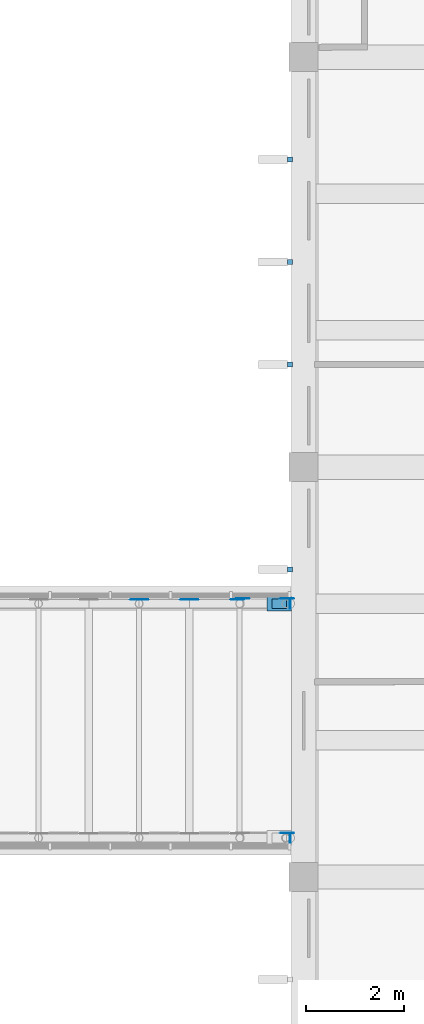
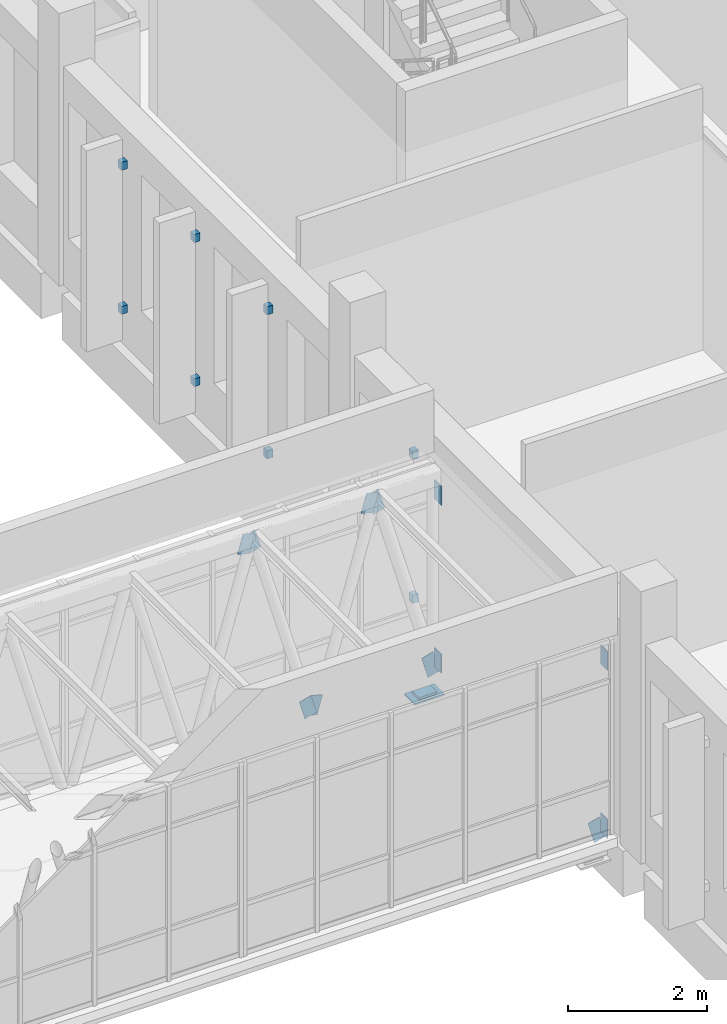
# One storey, part 82 of 119: 22 discrete accessories.
"""IFC4 building model written with IfcOpenShell, lengths in metres."""

from ifc_helpers import new_model, si_unit, direction, frame, origin, origin_2d, place, context, subcontext, project, spatial, rectangle, extrude, material, layer, layer_set, material_profile, profile_set, type_object, element, save


model = new_model("IFC4")

# Units and contexts
model_context = context("Model", 3, precision=1e-05, world=origin(), true_north=direction((0.0, 1.0)))
body_context = subcontext(model_context, "Body", "Model", "MODEL_VIEW")
ifc_project = project(units=[si_unit("LENGTHUNIT", "METRE"), si_unit("AREAUNIT", "SQUARE_METRE"), si_unit("VOLUMEUNIT", "CUBIC_METRE"), si_unit("PLANEANGLEUNIT", "RADIAN"), si_unit("MASSUNIT", "GRAM", prefix="KILO")], contexts=[model_context])

# Site, building, storey
site_placement = place(None, origin())
site = spatial("IfcSite", under=ifc_project, at=site_placement, CompositionType="ELEMENT")
building_placement = place(site_placement, origin())
building = spatial("IfcBuilding", under=site, at=building_placement, Name="Larchfold Concert Hall", CompositionType="ELEMENT")
storey_placement = place(building_placement, frame((0.0, 0.0, 4.800048828125)))
storey = spatial("IfcBuildingStorey", under=building, at=storey_placement, Name="L01", CompositionType="ELEMENT", Elevation=4.800048828125)

# Discrete accessories
ifc_material_1 = material(Name="Steel S355 galvanised bracket", Category="steel")
ifc_layer_1 = layer(ifc_material_1, 0.10009765625)
ifc_layer_set_1 = layer_set([ifc_layer_1], Name="Steel S355 galvanised bracket")
discrete_accessory_type_1 = type_object("IfcDiscreteAccessoryType", Name="Fin support bracket", PredefinedType="BRACKET", material=ifc_layer_set_1)
for number, where, z_axis, x_axis, name in (
    (1, (84.3251953125, 19.5, 0.6298828125), (0.0, 0.0, 1.0), (-1.0, 0.0, 0.0), "Fin bracket FN-L01-063-1"),
    (2, (84.3251953125, 19.5, 3.169921875), (0.0, 0.0, 1.0), (-1.0, 0.0, 0.0), "Fin bracket FN-L01-063-2"),
    (3, (84.3251953125, 21.60009765625, 0.6298828125), (0.0, 0.0, 1.0), (-1.0, 0.0, 0.0), "Fin bracket FN-L01-064-1"),
    (4, (84.3251953125, 21.60009765625, 3.169921875), (0.0, 0.0, 1.0), (-1.0, 0.0, 0.0), "Fin bracket FN-L01-064-2"),
    (5, (84.3251953125, 23.699951171875, 0.6298828125), (0.0, 0.0, 1.0), (-1.0, 0.0, 0.0), "Fin bracket FN-L01-065-1"),
    (6, (84.3251953125, 23.699951171875, 3.169921875), (0.0, 0.0, 1.0), (-1.0, 0.0, 0.0), "Fin bracket FN-L01-065-2"),
    (7, (84.3251953125, 15.300048828125, 0.6298828125), (0.0, 0.0, 1.0), (-1.0, 0.0, 0.0), "Fin bracket FN-L01-066-1"),
    (8, (84.3251953125, 15.300048828125, 3.169921875), (0.0, 0.0, 1.0), (-1.0, 0.0, 0.0), "Fin bracket FN-L01-066-2"),
):
    element("IfcDiscreteAccessory", number, at=place(storey_placement, frame(where, z_axis=z_axis, x_axis=x_axis)), inside=storey, type_object=discrete_accessory_type_1, Name=name, PredefinedType="BRACKET", context=body_context, shape_type="SweptSolid", body=[
        extrude(rectangle(XDim=0.10009765625, YDim=0.10009765625, at=origin_2d()), origin(), (0.0, 0.0, 1.0), 0.139892578125),
    ])
ifc_material_2 = material(Name="Steel S355 galvanised bracket", Category="steel")
ifc_material_profile = material_profile(ifc_material_2, rectangle(XDim=0.011962890625, YDim=0.199951171875, at=origin_2d()))
ifc_profile_set = profile_set([ifc_material_profile], Name="Steel S355 galvanised bracket")
discrete_accessory_type_2 = type_object("IfcDiscreteAccessoryType", Name="Gusset plate 12x200", PredefinedType="BRACKET", material=ifc_profile_set)
for number, where, z_axis, x_axis, name in (
    (9, (84.325927734375, 9.800048828125, -0.16015625), (0.0, 0.0, 1.0), (1.0, 0.0, 0.0), "Gusset plate GP0805"),
    (10, (84.325927734375, 9.800048828125, 2.798583984375), (0.0, 0.0, 1.0), (1.0, 0.0, 0.0), "Gusset plate GP0806"),
):
    element("IfcDiscreteAccessory", number, at=place(storey_placement, frame(where, z_axis=z_axis, x_axis=x_axis)), inside=storey, type_object=discrete_accessory_type_2, Name=name, PredefinedType="BRACKET", context=body_context, shape_type="SweptSolid", body=[
        extrude(rectangle(XDim=0.011962890625, YDim=0.199951171875, at=origin_2d()), origin(), (0.0, 0.0, 1.0), 0.336669921875),
    ])
discrete_accessory_1_placement = place(storey_placement, frame((84.2080078125, 9.90283203125, 0.08154296875), z_axis=(0.274887664685, 0.0, -0.961476350101), x_axis=(0.0, 1.0, 0.0)))
element("IfcDiscreteAccessory", 11, at=discrete_accessory_1_placement, inside=storey, type_object=discrete_accessory_type_2, Name="Gusset plate GP0854", PredefinedType="BRACKET", context=body_context, shape_type="SweptSolid", body=[
    extrude(rectangle(XDim=0.011962890625, YDim=0.199951171875, at=origin_2d()), origin(), (0.0, 0.0, 1.0), 0.38720703125),
])
for number, where, z_axis, x_axis, name in (
    (12, (84.325927734375, 14.60009765625, -0.16015625), (0.0, 0.0, 1.0), (1.0, 0.0, 0.0), "Gusset plate GP0857"),
    (13, (84.325927734375, 14.60009765625, 2.798583984375), (0.0, 0.0, 1.0), (1.0, 0.0, 0.0), "Gusset plate GP0858"),
):
    element("IfcDiscreteAccessory", number, at=place(storey_placement, frame(where, z_axis=z_axis, x_axis=x_axis)), inside=storey, type_object=discrete_accessory_type_2, Name=name, PredefinedType="BRACKET", context=body_context, shape_type="SweptSolid", body=[
        extrude(rectangle(XDim=0.011962890625, YDim=0.199951171875, at=origin_2d()), origin(), (0.0, 0.0, 1.0), 0.336669921875),
    ])
for number, where, z_axis, x_axis, name in (
    (14, (81.1318359375, 14.690185546875, 2.947265625), (0.27500862401, 0.0, 0.961441759401), (0.0, 1.0, 0.0), "Gusset plate GP0900"),
    (15, (81.235595703125, 14.690185546875, 3.270751953125), (0.27500862401, 0.0, -0.961441759401), (0.0, 1.0, 0.0), "Gusset plate GP0901"),
    (16, (82.161865234375, 14.690185546875, 0.03271484375), (0.27500862401, 0.0, -0.961441759401), (0.0, 1.0, 0.0), "Gusset plate GP0902"),
    (17, (82.265625, 14.690185546875, -0.290771484375), (0.27500862401, 0.0, 0.961441759401), (0.0, 1.0, 0.0), "Gusset plate GP0903"),
    (18, (83.19189453125, 14.690185546875, 2.947265625), (0.27500862401, 0.0, 0.961441759401), (0.0, 1.0, 0.0), "Gusset plate GP0904"),
):
    element("IfcDiscreteAccessory", number, at=place(storey_placement, frame(where, z_axis=z_axis, x_axis=x_axis)), inside=storey, type_object=discrete_accessory_type_2, Name=name, PredefinedType="BRACKET", context=body_context, shape_type="SweptSolid", body=[
        extrude(rectangle(XDim=0.011962890625, YDim=0.199951171875, at=origin_2d()), origin(), (0.0, 0.0, 1.0), 0.33642578125),
    ])
for number, where, z_axis, x_axis, name in (
    (19, (83.295654296875, 14.702880859375, 3.270751953125), (0.274887664685, 0.0, -0.961476350101), (0.0, 1.0, 0.0), "Gusset plate GP0905"),
    (20, (84.2080078125, 14.702880859375, 0.08154296875), (0.274887664685, 0.0, -0.961476350101), (0.0, 1.0, 0.0), "Gusset plate GP0906"),
):
    element("IfcDiscreteAccessory", number, at=place(storey_placement, frame(where, z_axis=z_axis, x_axis=x_axis)), inside=storey, type_object=discrete_accessory_type_2, Name=name, PredefinedType="BRACKET", context=body_context, shape_type="SweptSolid", body=[
        extrude(rectangle(XDim=0.011962890625, YDim=0.199951171875, at=origin_2d()), origin(), (0.0, 0.0, 1.0), 0.38720703125),
    ])
ifc_material_3 = material(Name="Steel S355 galvanised bracket", Category="steel")
ifc_layer_2 = layer(ifc_material_3, 0.030029296875)
ifc_layer_set_2 = layer_set([ifc_layer_2], Name="Steel S355 galvanised bracket")
discrete_accessory_type_3 = type_object("IfcDiscreteAccessoryType", Name="Link bridge seat plate 500x300x30", PredefinedType="BRACKET", material=ifc_layer_set_2)
discrete_accessory_2_placement = place(storey_placement, frame((84.10009765625, 14.60009765625, -0.5302734375), z_axis=(0.0, 0.0, 1.0), x_axis=(1.0, 0.0, 0.0)))
element("IfcDiscreteAccessory", 21, at=discrete_accessory_2_placement, inside=storey, type_object=discrete_accessory_type_3, Name="Link bridge seat LBT2", PredefinedType="BRACKET", context=body_context, shape_type="SweptSolid", body=[
    extrude(rectangle(XDim=0.5, YDim=0.300048828125, at=origin_2d()), origin(), (0.0, 0.0, 1.0), 0.030029296875),
])
ifc_material_4 = material(Name="Steel S355 sliding bearing with PTFE on stainless steel", Category="steel")
ifc_layer_3 = layer(ifc_material_4, 0.0400390625)
ifc_layer_set_3 = layer_set([ifc_layer_3], Name="Steel S355 sliding bearing with PTFE on stainless steel")
discrete_accessory_type_4 = type_object("IfcDiscreteAccessoryType", Name="Link bridge sliding bearing 300x200x40", PredefinedType="SHOE", material=ifc_layer_set_3)
discrete_accessory_3_placement = place(storey_placement, frame((84.10009765625, 14.60009765625, -0.5), z_axis=(0.0, 0.0, 1.0), x_axis=(1.0, 0.0, 0.0)))
element("IfcDiscreteAccessory", 22, at=discrete_accessory_3_placement, inside=storey, type_object=discrete_accessory_type_4, Name="Link bridge bearing LBB2", PredefinedType="SHOE", context=body_context, shape_type="SweptSolid", body=[
    extrude(rectangle(XDim=0.300048828125, YDim=0.199951171875, at=origin_2d()), origin(), (0.0, 0.0, 1.0), 0.0400390625),
])

save(model, "model.ifc")
